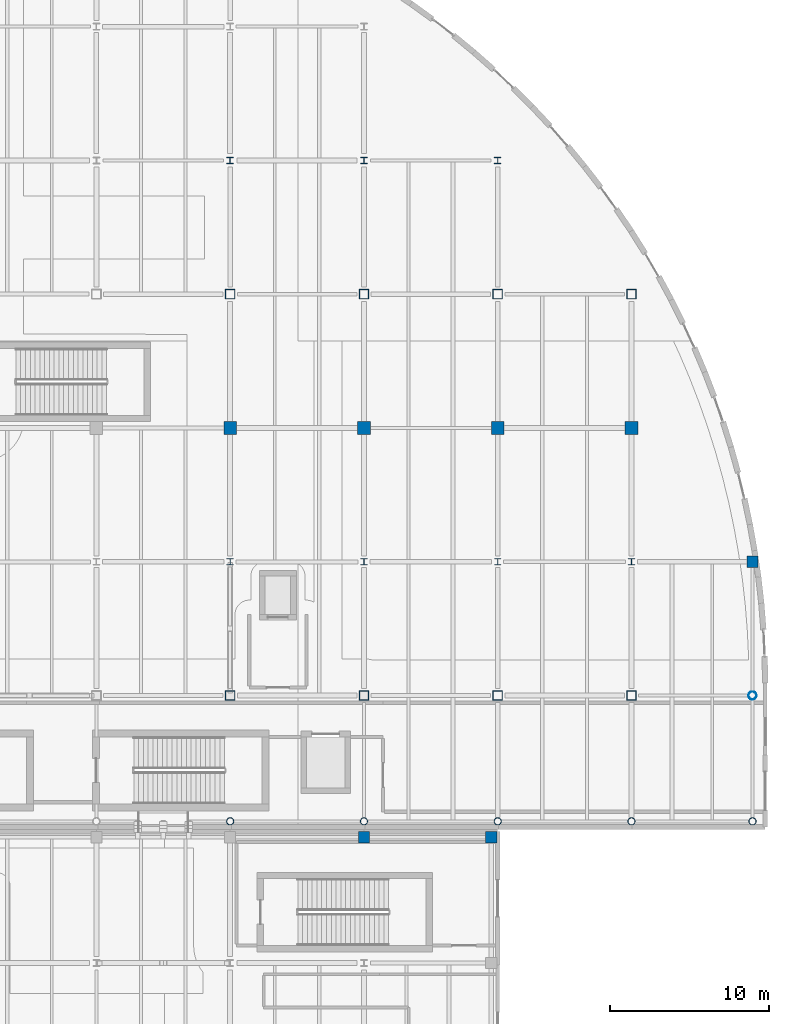
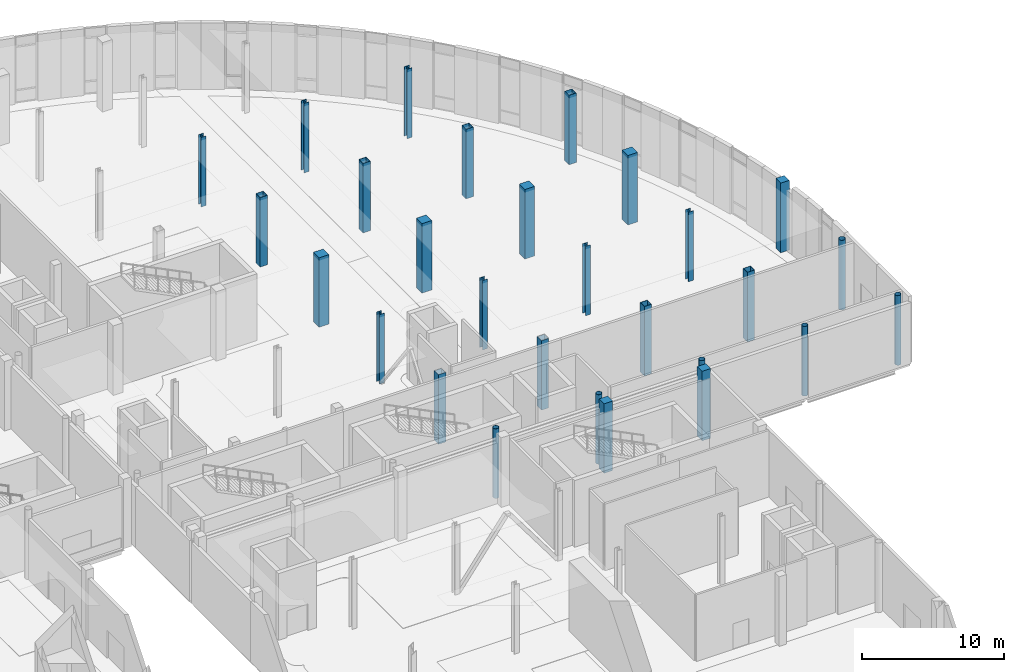
# One storey, part 14 of 85: 28 columns.
"""IFC4 building model written with IfcOpenShell, lengths in metres."""

from ifc_helpers import new_model, si_unit, direction, frame, origin, origin_2d, place, context, subcontext, project, spatial, rectangle, hollow_rectangle, hollow_circle, i_section, extrude, material, material_profile, profile_set, type_object, element, save


model = new_model("IFC4")

# Units and contexts
model_context = context("Model", 3, precision=1e-05, world=origin(), true_north=direction((0.0, 1.0)))
body_context = subcontext(model_context, "Body", "Model", "MODEL_VIEW")
ifc_project = project(units=[si_unit("LENGTHUNIT", "METRE"), si_unit("AREAUNIT", "SQUARE_METRE"), si_unit("VOLUMEUNIT", "CUBIC_METRE"), si_unit("PLANEANGLEUNIT", "RADIAN"), si_unit("MASSUNIT", "GRAM", prefix="KILO"), si_unit("THERMODYNAMICTEMPERATUREUNIT", "KELVIN")], contexts=[model_context])

# Site, building, storey
site_placement = place(None, origin())
site = spatial("IfcSite", under=ifc_project, at=site_placement, CompositionType="ELEMENT")
building_placement = place(site_placement, origin())
building = spatial("IfcBuilding", under=site, at=building_placement, Name="Lustrewick Department Store", CompositionType="ELEMENT")
storey_placement = place(building_placement, origin())
storey = spatial("IfcBuildingStorey", under=building, at=storey_placement, Name="L01", CompositionType="ELEMENT", Elevation=0.0)

# Columns
ifc_material_1 = material(Name="Structural steel Q355C", Category="steel")
ifc_material_profile_1 = material_profile(ifc_material_1, hollow_rectangle(XDim=0.60009765625, YDim=0.60009765625, WallThickness=0.02392578125, at=origin_2d()), Name="BOX 600x600x24")
ifc_profile_set_1 = profile_set([ifc_material_profile_1], Name="Structural steel Q355C")
column_type_1 = type_object("IfcColumnType", Name="C04", PredefinedType="COLUMN", material=ifc_profile_set_1)
for number, where, z_axis, x_axis, name in (
    (1, (134.39990234375, 58.800048828125, 0.0), (0.0, 0.0, 1.0), (1.0, 0.0, 0.0), "L01 V4 Column C04"),
    (2, (134.39990234375, 84.0, 0.0), (0.0, 0.0, 1.0), (1.0, 0.0, 0.0), "L01 V4 Column C04"),
    (3, (142.800048828125, 58.800048828125, 0.0), (0.0, 0.0, 1.0), (1.0, 0.0, 0.0), "L01 V4 Column C04"),
    (4, (142.800048828125, 84.0, 0.0), (0.0, 0.0, 1.0), (1.0, 0.0, 0.0), "L01 V4 Column C04"),
    (5, (151.199951171875, 58.800048828125, 0.0), (0.0, 0.0, 1.0), (1.0, 0.0, 0.0), "L01 V4 Column C04"),
    (6, (151.199951171875, 84.0, 0.0), (0.0, 0.0, 1.0), (1.0, 0.0, 0.0), "L01 V4 Column C04"),
    (7, (159.60009765625, 58.800048828125, 0.0), (0.0, 0.0, 1.0), (1.0, 0.0, 0.0), "L01 V4 Column C04"),
    (8, (159.60009765625, 84.0, 0.0), (0.0, 0.0, 1.0), (1.0, 0.0, 0.0), "L01 V4 Column C04"),
):
    element("IfcColumn", number, at=place(storey_placement, frame(where, z_axis=z_axis, x_axis=x_axis)), inside=storey, type_object=column_type_1, Name=name, PredefinedType="COLUMN", context=body_context, shape_type="SweptSolid", body=[
        extrude(hollow_rectangle(XDim=0.60009765625, YDim=0.60009765625, WallThickness=0.02392578125, at=origin_2d()), origin(), (0.0, 0.0, 1.0), 6.0),
    ])
ifc_material_profile_2 = material_profile(ifc_material_1, i_section(OverallWidth=0.405029296875, OverallDepth=0.4140625, WebThickness=0.01806640625, FlangeThickness=0.028076171875, FilletRadius=0.02197265625, at=origin_2d()), Name="HW 414x405x18x28")
ifc_profile_set_2 = profile_set([ifc_material_profile_2], Name="Structural steel Q355C")
column_type_2 = type_object("IfcColumnType", Name="C10", PredefinedType="COLUMN", material=ifc_profile_set_2)
for number, where, z_axis, x_axis, name in (
    (9, (134.39990234375, 92.39990234375, 0.0), (0.0, 0.0, 1.0), (1.0, 0.0, 0.0), "L01 V4 Column C10"),
    (10, (142.800048828125, 92.39990234375, 0.0), (0.0, 0.0, 1.0), (1.0, 0.0, 0.0), "L01 V4 Column C10"),
    (11, (151.199951171875, 92.39990234375, 0.0), (0.0, 0.0, 1.0), (1.0, 0.0, 0.0), "L01 V4 Column C10"),
):
    element("IfcColumn", number, at=place(storey_placement, frame(where, z_axis=z_axis, x_axis=x_axis)), inside=storey, type_object=column_type_2, Name=name, PredefinedType="COLUMN", context=body_context, shape_type="SweptSolid", body=[
        extrude(i_section(OverallWidth=0.405029296875, OverallDepth=0.4140625, WebThickness=0.01806640625, FlangeThickness=0.028076171875, FilletRadius=0.02197265625, at=origin_2d()), origin(), (0.0, 0.0, 1.0), 6.0),
    ])
ifc_material_2 = material(Name="Structural steel Q355B", Category="steel")
ifc_material_profile_3 = material_profile(ifc_material_2, i_section(OverallWidth=0.39990234375, OverallDepth=0.39990234375, WebThickness=0.012939453125, FlangeThickness=0.02099609375, FilletRadius=0.02197265625, at=origin_2d()), Name="HW 400x400x13x21")
ifc_profile_set_3 = profile_set([ifc_material_profile_3], Name="Structural steel Q355B")
column_type_3 = type_object("IfcColumnType", Name="C11", PredefinedType="COLUMN", material=ifc_profile_set_3)
for number, where, z_axis, x_axis, name in (
    (12, (134.39990234375, 67.199951171875, 0.0), (0.0, 0.0, 1.0), (1.0, 0.0, 0.0), "L01 V4 Column C11"),
    (13, (142.800048828125, 67.199951171875, 0.0), (0.0, 0.0, 1.0), (1.0, 0.0, 0.0), "L01 V4 Column C11"),
    (14, (151.199951171875, 67.199951171875, 0.0), (0.0, 0.0, 1.0), (1.0, 0.0, 0.0), "L01 V4 Column C11"),
    (15, (159.60009765625, 67.199951171875, 0.0), (0.0, 0.0, 1.0), (1.0, 0.0, 0.0), "L01 V4 Column C11"),
):
    element("IfcColumn", number, at=place(storey_placement, frame(where, z_axis=z_axis, x_axis=x_axis)), inside=storey, type_object=column_type_3, Name=name, PredefinedType="COLUMN", context=body_context, shape_type="SweptSolid", body=[
        extrude(i_section(OverallWidth=0.39990234375, OverallDepth=0.39990234375, WebThickness=0.012939453125, FlangeThickness=0.02099609375, FilletRadius=0.02197265625, at=origin_2d()), origin(), (0.0, 0.0, 1.0), 6.0),
    ])
ifc_material_3 = material(Name="Concrete C40", Category="concrete")
ifc_material_profile_4 = material_profile(ifc_material_3, rectangle(XDim=0.800048828125, YDim=0.800048828125, at=origin_2d()), Name="RC 800x800")
ifc_profile_set_4 = profile_set([ifc_material_profile_4], Name="Concrete C40")
column_type_4 = type_object("IfcColumnType", Name="C19", PredefinedType="COLUMN", material=ifc_profile_set_4)
for number, where, z_axis, x_axis, name in (
    (16, (134.39990234375, 75.60009765625, 0.0), (0.0, 0.0, 1.0), (1.0, 0.0, 0.0), "L01 V4 Column C19"),
    (17, (142.800048828125, 75.60009765625, 0.0), (0.0, 0.0, 1.0), (1.0, 0.0, 0.0), "L01 V4 Column C19"),
    (18, (151.199951171875, 75.60009765625, 0.0), (0.0, 0.0, 1.0), (1.0, 0.0, 0.0), "L01 V4 Column C19"),
    (19, (159.60009765625, 75.60009765625, 0.0), (0.0, 0.0, 1.0), (1.0, 0.0, 0.0), "L01 V4 Column C19"),
):
    element("IfcColumn", number, at=place(storey_placement, frame(where, z_axis=z_axis, x_axis=x_axis)), inside=storey, type_object=column_type_4, Name=name, PredefinedType="COLUMN", context=body_context, shape_type="SweptSolid", body=[
        extrude(rectangle(XDim=0.800048828125, YDim=0.800048828125, at=origin_2d()), origin(), (0.0, 0.0, 1.0), 6.0),
    ])
ifc_material_profile_5 = material_profile(ifc_material_1, hollow_circle(Radius=0.25390625, WallThickness=0.01611328125, at=origin_2d()), Name="CHS 508x16")
ifc_profile_set_5 = profile_set([ifc_material_profile_5], Name="Structural steel Q355C")
column_type_5 = type_object("IfcColumnType", Name="CE01", PredefinedType="COLUMN", material=ifc_profile_set_5)
column_placement = place(storey_placement, frame((167.199951171875, 58.800048828125, 0.0), z_axis=(0.0, 0.0, 1.0), x_axis=(1.0, 0.0, 0.0)))
element("IfcColumn", 20, at=column_placement, inside=storey, type_object=column_type_5, Name="L01 V4 Column CE01", PredefinedType="COLUMN", context=body_context, shape_type="SweptSolid", body=[
    extrude(hollow_circle(Radius=0.25390625, WallThickness=0.01611328125, at=origin_2d()), origin(), (0.0, 0.0, 1.0), 6.0),
])
ifc_material_profile_6 = material_profile(ifc_material_1, hollow_circle(Radius=0.228515625, WallThickness=0.01611328125, at=origin_2d()), Name="CHS 457x16")
ifc_profile_set_6 = profile_set([ifc_material_profile_6], Name="Structural steel Q355C")
column_type_6 = type_object("IfcColumnType", Name="CE02", PredefinedType="COLUMN", material=ifc_profile_set_6)
for number, where, z_axis, x_axis, name in (
    (21, (134.39990234375, 50.89990234375, 0.0), (0.0, 0.0, 1.0), (1.0, 0.0, 0.0), "L01 V4 Column CE02"),
    (22, (142.800048828125, 50.89990234375, 0.0), (0.0, 0.0, 1.0), (1.0, 0.0, 0.0), "L01 V4 Column CE02"),
    (23, (151.199951171875, 50.89990234375, 0.0), (0.0, 0.0, 1.0), (1.0, 0.0, 0.0), "L01 V4 Column CE02"),
    (24, (159.60009765625, 50.89990234375, 0.0), (0.0, 0.0, 1.0), (1.0, 0.0, 0.0), "L01 V4 Column CE02"),
    (25, (167.199951171875, 50.89990234375, 0.0), (0.0, 0.0, 1.0), (1.0, 0.0, 0.0), "L01 V4 Column CE02"),
):
    element("IfcColumn", number, at=place(storey_placement, frame(where, z_axis=z_axis, x_axis=x_axis)), inside=storey, type_object=column_type_6, Name=name, PredefinedType="COLUMN", context=body_context, shape_type="SweptSolid", body=[
        extrude(hollow_circle(Radius=0.228515625, WallThickness=0.01611328125, at=origin_2d()), origin(), (0.0, 0.0, 1.0), 6.0),
    ])
ifc_material_profile_7 = material_profile(ifc_material_3, rectangle(XDim=0.699951171875, YDim=0.699951171875, at=origin_2d()), Name="RC 700x700")
ifc_profile_set_7 = profile_set([ifc_material_profile_7], Name="Concrete C40")
column_type_7 = type_object("IfcColumnType", Name="CE06", PredefinedType="COLUMN", material=ifc_profile_set_7)
for number, where, z_axis, x_axis, name in (
    (26, (142.800048828125, 49.89990234375, 0.0), (0.0, 0.0, 1.0), (1.0, 0.0, 0.0), "L01 V3 Column CE06"),
    (27, (150.800048828125, 49.89990234375, 0.0), (0.0, 0.0, 1.0), (1.0, 0.0, 0.0), "L01 V3 Column CE06"),
    (28, (167.199951171875, 67.199951171875, 0.0), (0.0, 0.0, 1.0), (1.0, 0.0, 0.0), "L01 V4 Column CE06"),
):
    element("IfcColumn", number, at=place(storey_placement, frame(where, z_axis=z_axis, x_axis=x_axis)), inside=storey, type_object=column_type_7, Name=name, PredefinedType="COLUMN", context=body_context, shape_type="SweptSolid", body=[
        extrude(rectangle(XDim=0.699951171875, YDim=0.699951171875, at=origin_2d()), origin(), (0.0, 0.0, 1.0), 6.0),
    ])

save(model, "model.ifc")
